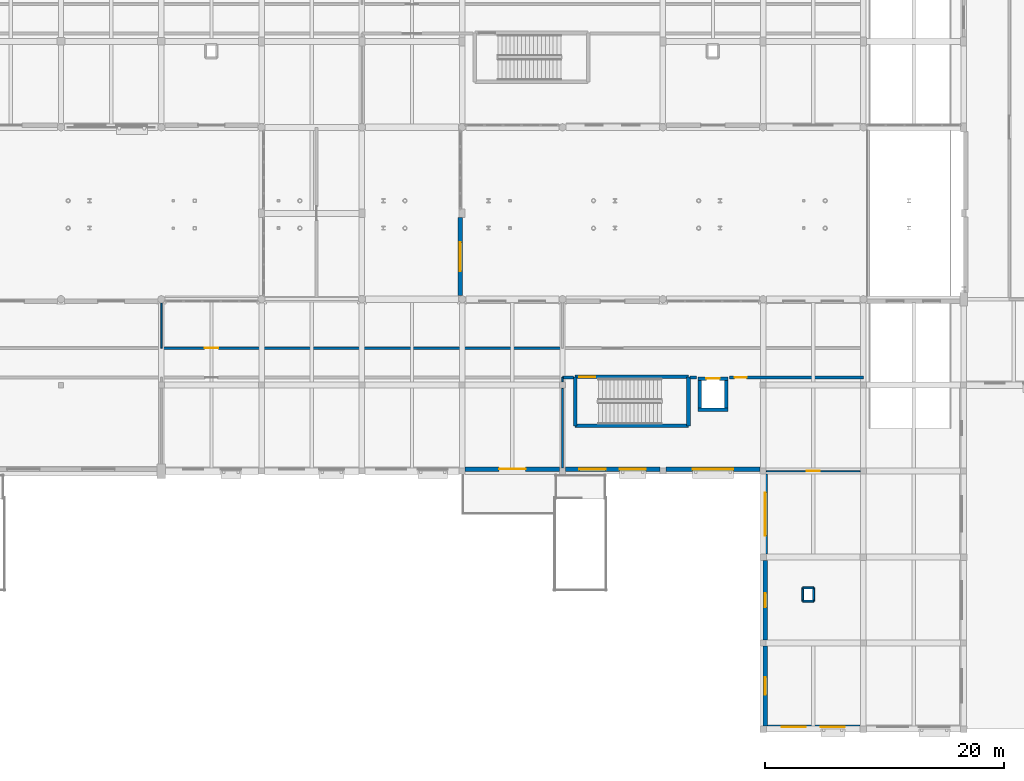
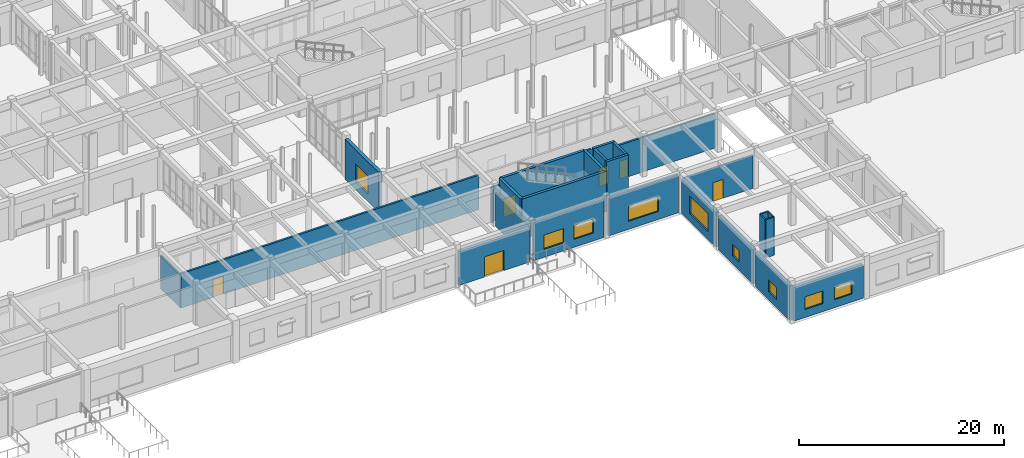
# One storey, part 75 of 121: 28 walls, 9 windows, 6 doors, 15 openings.
"""IFC4 building model written with IfcOpenShell, lengths in metres."""

from ifc_helpers import new_model, si_unit, direction, frame, frame_2d, origin, place, context, subcontext, project, spatial, rectangle, extrude, material, layer, layer_set, type_object, element, fill, save


model = new_model("IFC4")

# Units and contexts
model_context = context("Model", 3, precision=1e-05, world=origin(), true_north=direction((0.0, 1.0)))
body_context = subcontext(model_context, "Body", "Model", "MODEL_VIEW")
ifc_project = project(units=[si_unit("LENGTHUNIT", "METRE"), si_unit("AREAUNIT", "SQUARE_METRE"), si_unit("VOLUMEUNIT", "CUBIC_METRE"), si_unit("PLANEANGLEUNIT", "RADIAN"), si_unit("MASSUNIT", "GRAM", prefix="KILO")], contexts=[model_context])

# Site, building, storey
site_placement = place(None, origin())
site = spatial("IfcSite", under=ifc_project, at=site_placement, CompositionType="ELEMENT")
building_placement = place(site_placement, origin())
building = spatial("IfcBuilding", under=site, at=building_placement, Name="Malvenik Polytechnic", CompositionType="ELEMENT")
storey_placement = place(building_placement, origin())
storey = spatial("IfcBuildingStorey", under=building, at=storey_placement, Name="L00", CompositionType="ELEMENT", Elevation=0.0)

# Wall
ifc_material_1 = material(Name="Concrete C35/45", Category="concrete")
ifc_layer_1 = layer(ifc_material_1, 0.280029296875)
ifc_layer_set_1 = layer_set([ifc_layer_1], Name="Concrete C35/45")
wall_type_1 = type_object("IfcWallType", Name="ARC-CW-S280", PredefinedType="SHEAR", material=ifc_layer_set_1)
wall_1_placement = place(storey_placement, frame((114.639892578125, 26.75, 0.0), z_axis=(0.0, 0.0, 1.0), x_axis=(-1.0, 0.0, 0.0)))
element("IfcWall", 1, at=wall_1_placement, inside=storey, type_object=wall_type_1, Name="Lift Shaft Shear Wall LP-04 L00 -Y", PredefinedType="SHEAR", context=body_context, shape_type="SweptSolid", body=[
    extrude(rectangle(XDim=2.47998046875, YDim=0.280029296875, at=frame_2d((1.239990234375, 0.0))), origin(), (0.0, 0.0, 1.0), 4.820068359375),
])

# Wall, opening, door
wall_2_placement = place(storey_placement, frame((112.159912109375, 29.35009765625, 0.0), z_axis=(0.0, 0.0, 1.0), x_axis=(1.0, 0.0, 0.0)))
wall_2 = element("IfcWall", 2, at=wall_2_placement, inside=storey, type_object=wall_type_1, Name="Lift Shaft Shear Wall LP-04 L00 +Y", PredefinedType="SHEAR", context=body_context, shape_type="SweptSolid", body=[
    extrude(rectangle(XDim=2.47998046875, YDim=0.280029296875, at=frame_2d((1.239990234375, 0.0))), origin(), (0.0, 0.0, 1.0), 4.820068359375),
])
opening_1_placement = place(wall_2_placement, frame((0.68994140625, 0.0, 0.0)))
opening_1 = element("IfcOpeningElement", 3, at=opening_1_placement, cuts=wall_2, Name="Opening LD-01", PredefinedType="OPENING", context=body_context, shape_type="SweptSolid", body=[
    extrude(rectangle(XDim=1.10009765625, YDim=2.14990234375, at=frame_2d((0.550048828125, 1.074951171875))), frame((0.0, 0.14990234375, 0.0), z_axis=(0.0, -1.0, 0.0), x_axis=(1.0, 0.0, 0.0)), (0.0, 0.0, 1.0), 0.300048828125),
])
ifc_material_2 = material(Name="Stainless steel fire-rated sliding lift landing door", Category="steel")
door_type_1 = type_object("IfcDoorType", Name="ARC-LDR-LD-01", OperationType="NOTDEFINED", PredefinedType="DOOR", material=ifc_material_2)
door_1_placement = place(opening_1_placement, origin())
door_1 = element("IfcDoor", 4, at=door_1_placement, inside=storey, type_object=door_type_1, Name="Lift Sliding Landing Door LP-04 L00", OperationType="DOUBLE_DOOR_SLIDING", OverallHeight=2.14990234375, OverallWidth=1.10009765625, PredefinedType="DOOR", context=body_context, shape_type="SweptSolid", body=[
    extrude(rectangle(XDim=1.10009765625, YDim=2.14990234375, at=frame_2d((0.550048828125, 1.074951171875))), frame((0.0, 0.02490234375, 0.0), z_axis=(0.0, -1.0, 0.0), x_axis=(1.0, 0.0, 0.0)), (0.0, 0.0, 1.0), 0.050048828125),
])
fill(opening_1, door_1)

# Walls
for number, where, z_axis, x_axis, name in (
    (5, (112.300048828125, 26.610107421875, 0.0), (0.0, 0.0, 1.0), (0.0, 1.0, 0.0), "Lift Shaft Shear Wall LP-04 L00 -X"),
    (6, (114.5, 29.489990234375, 0.0), (0.0, 0.0, 1.0), (0.0, -1.0, 0.0), "Lift Shaft Shear Wall LP-04 L00 +X"),
):
    element("IfcWall", number, at=place(storey_placement, frame(where, z_axis=z_axis, x_axis=x_axis)), inside=storey, type_object=wall_type_1, Name=name, PredefinedType="SHEAR", context=body_context, shape_type="SweptSolid", body=[
        extrude(rectangle(XDim=2.8798828125, YDim=0.280029296875, at=frame_2d((1.43994140625, 0.0))), origin(), (0.0, 0.0, 1.0), 4.820068359375),
    ])
ifc_layer_2 = layer(ifc_material_1, 0.300048828125)
ifc_layer_set_2 = layer_set([ifc_layer_2], Name="Concrete C35/45")
wall_type_2 = type_object("IfcWallType", Name="ARC-CW-S300", PredefinedType="SHEAR", material=ifc_layer_set_2)
wall_3_placement = place(storey_placement, frame((101.85009765625, 25.39990234375, 0.0), z_axis=(0.0, 0.0, 1.0), x_axis=(0.0, 1.0, 0.0)))
element("IfcWall", 7, at=wall_3_placement, inside=storey, type_object=wall_type_2, Name="Stair Core Shear Wall ST-08 L00 NEAR", PredefinedType="SHEAR", context=body_context, shape_type="SweptSolid", body=[
    extrude(rectangle(XDim=4.10009765625, YDim=0.300048828125, at=frame_2d((2.050048828125, 0.0))), origin(), (0.0, 0.0, 1.0), 4.820068359375),
])

# Wall, opening, door
wall_4_placement = place(storey_placement, frame((101.85009765625, 29.5, 0.0), z_axis=(0.0, 0.0, 1.0), x_axis=(1.0, 0.0, 0.0)))
wall_4 = element("IfcWall", 8, at=wall_4_placement, inside=storey, type_object=wall_type_2, Name="Stair Core Shear Wall ST-08 L00 RGHT", PredefinedType="SHEAR", context=body_context, shape_type="SweptSolid", body=[
    extrude(rectangle(XDim=9.5, YDim=0.300048828125, at=frame_2d((4.75, 0.0))), origin(), (0.0, 0.0, 1.0), 4.820068359375),
])
opening_2_placement = place(wall_4_placement, frame((0.35009765625, 0.0, 0.0)))
opening_2 = element("IfcOpeningElement", 9, at=opening_2_placement, cuts=wall_4, Name="Opening SD-01", PredefinedType="OPENING", context=body_context, shape_type="SweptSolid", body=[
    extrude(rectangle(XDim=1.35009765625, YDim=2.199951171875, at=frame_2d((0.675048828125, 1.10009765625))), frame((0.0, 0.16015625, 0.0), z_axis=(0.0, -1.0, 0.0), x_axis=(1.0, 0.0, 0.0)), (0.0, 0.0, 1.0), 0.320068359375),
])
ifc_material_3 = material(Name="Fire-rated steel stair enclosure door", Category="steel")
door_type_2 = type_object("IfcDoorType", Name="ARC-IDR-SD-01", OperationType="NOTDEFINED", PredefinedType="DOOR", material=ifc_material_3)
door_2_placement = place(opening_2_placement, origin())
door_2 = element("IfcDoor", 10, at=door_2_placement, inside=storey, type_object=door_type_2, Name="Fire Stair Door ST-08 L00", OperationType="SINGLE_SWING_LEFT", OverallHeight=2.199951171875, OverallWidth=1.35009765625, PredefinedType="DOOR", context=body_context, shape_type="SweptSolid", body=[
    extrude(rectangle(XDim=1.35009765625, YDim=2.199951171875, at=frame_2d((0.675048828125, 1.10009765625))), frame((0.0, 0.02490234375, 0.0), z_axis=(0.0, -1.0, 0.0), x_axis=(1.0, 0.0, 0.0)), (0.0, 0.0, 1.0), 0.050048828125),
])
fill(opening_2, door_2)

# Walls
wall_5_placement = place(storey_placement, frame((111.35009765625, 29.5, 0.0), z_axis=(0.0, 0.0, 1.0), x_axis=(0.0, -1.0, 0.0)))
element("IfcWall", 11, at=wall_5_placement, inside=storey, type_object=wall_type_2, Name="Stair Core Shear Wall ST-08 L00 FAR", PredefinedType="SHEAR", context=body_context, shape_type="SweptSolid", body=[
    extrude(rectangle(XDim=4.10009765625, YDim=0.300048828125, at=frame_2d((2.050048828125, 0.0))), origin(), (0.0, 0.0, 1.0), 4.820068359375),
])
wall_6_placement = place(storey_placement, frame((111.35009765625, 25.39990234375, 0.0), z_axis=(0.0, 0.0, 1.0), x_axis=(-1.0, 0.0, 0.0)))
element("IfcWall", 12, at=wall_6_placement, inside=storey, type_object=wall_type_2, Name="Stair Core Shear Wall ST-08 L00 LEFT", PredefinedType="SHEAR", context=body_context, shape_type="SweptSolid", body=[
    extrude(rectangle(XDim=9.5, YDim=0.300048828125, at=frame_2d((4.75, 0.0))), origin(), (0.0, 0.0, 1.0), 4.820068359375),
])

# Wall, openings, windows
ifc_material_4 = material(Name="Concrete C30/37", Category="concrete")
ifc_layer_3 = layer(ifc_material_4, 0.3798828125)
ifc_layer_set_3 = layer_set([ifc_layer_3], Name="Concrete C30/37")
wall_type_3 = type_object("IfcWallType", Name="ARC-EW-380", PredefinedType="SOLIDWALL", material=ifc_layer_set_3)
wall_7_placement = place(storey_placement, frame((125.72705078125, 0.169921875, 0.0), z_axis=(0.0, 0.0, 1.0), x_axis=(-1.0, 0.0, 0.0)))
wall_7 = element("IfcWall", 13, at=wall_7_placement, inside=storey, type_object=wall_type_3, Name="External Facade Wall EW-01 L00 #141", PredefinedType="SOLIDWALL", context=body_context, shape_type="SweptSolid", body=[
    extrude(rectangle(XDim=7.85400390625, YDim=0.3798828125, at=frame_2d((3.927001953125, 0.0))), origin(), (0.0, 0.0, 1.0), 4.010009765625),
])
opening_3_placement = place(wall_7_placement, frame((1.28466796875, 0.0, 0.949951171875)))
opening_3 = element("IfcOpeningElement", 14, at=opening_3_placement, cuts=wall_7, Name="Opening W-13", PredefinedType="OPENING", context=body_context, shape_type="SweptSolid", body=[
    extrude(rectangle(XDim=2.0, YDim=1.5, at=frame_2d((1.0, 0.75))), frame((0.0, 0.199951171875, 0.0), z_axis=(0.0, -1.0, 0.0), x_axis=(1.0, 0.0, 0.0)), (0.0, 0.0, 1.0), 0.39990234375),
])
opening_4_placement = place(wall_7_placement, frame((4.5693359375, 0.0, 0.949951171875)))
opening_4 = element("IfcOpeningElement", 15, at=opening_4_placement, cuts=wall_7, Name="Opening W-13", PredefinedType="OPENING", context=body_context, shape_type="SweptSolid", body=[
    extrude(rectangle(XDim=2.0, YDim=1.5, at=frame_2d((1.0, 0.75))), frame((0.0, 0.199951171875, 0.0), z_axis=(0.0, -1.0, 0.0), x_axis=(1.0, 0.0, 0.0)), (0.0, 0.0, 1.0), 0.39990234375),
])
ifc_material_5 = material(Name="Thermally broken aluminium frame with low-E double glazing", Category="aluminium")
window_type_1 = type_object("IfcWindowType", Name="ARC-WIN-W-13", PartitioningType="SINGLE_PANEL", PredefinedType="WINDOW", material=ifc_material_5)
window_1_placement = place(opening_3_placement, origin())
window_1 = element("IfcWindow", 16, at=window_1_placement, inside=storey, type_object=window_type_1, Name="Punched Window W-13 L00 #103", OverallHeight=1.5, OverallWidth=2.0, PartitioningType="SINGLE_PANEL", PredefinedType="WINDOW", context=body_context, shape_type="SweptSolid", body=[
    extrude(rectangle(XDim=2.0, YDim=1.5, at=frame_2d((1.0, 0.75))), frame((0.0, 0.030029296875, 0.0), z_axis=(0.0, -1.0, 0.0), x_axis=(1.0, 0.0, 0.0)), (0.0, 0.0, 1.0), 0.06005859375),
])
fill(opening_3, window_1)
window_2_placement = place(opening_4_placement, origin())
window_2 = element("IfcWindow", 17, at=window_2_placement, inside=storey, type_object=window_type_1, Name="Punched Window W-13 L00 #104", OverallHeight=1.5, OverallWidth=2.0, PartitioningType="SINGLE_PANEL", PredefinedType="WINDOW", context=body_context, shape_type="SweptSolid", body=[
    extrude(rectangle(XDim=2.0, YDim=1.5, at=frame_2d((1.0, 0.75))), frame((0.0, 0.030029296875, 0.0), z_axis=(0.0, -1.0, 0.0), x_axis=(1.0, 0.0, 0.0)), (0.0, 0.0, 1.0), 0.06005859375),
])
fill(opening_4, window_2)

# Wall, opening, window
wall_8_placement = place(storey_placement, frame((117.77001953125, 0.27294921875, 0.0), z_axis=(0.0, 0.0, 1.0), x_axis=(0.0, 1.0, 0.0)))
wall_8 = element("IfcWall", 18, at=wall_8_placement, inside=storey, type_object=wall_type_3, Name="External Facade Wall EW-01 L00 #142", PredefinedType="SOLIDWALL", context=body_context, shape_type="SweptSolid", body=[
    extrude(rectangle(XDim=6.678955078125, YDim=0.3798828125, at=frame_2d((3.33935546875, 0.0))), origin(), (0.0, 0.0, 1.0), 4.110107421875),
])
opening_5_placement = place(wall_8_placement, frame((2.589599609375, 0.0, 0.949951171875)))
opening_5 = element("IfcOpeningElement", 19, at=opening_5_placement, cuts=wall_8, Name="Opening W-15", PredefinedType="OPENING", context=body_context, shape_type="SweptSolid", body=[
    extrude(rectangle(XDim=1.5, YDim=1.39990234375, at=frame_2d((0.75, 0.699951171875))), frame((0.0, 0.199951171875, 0.0), z_axis=(0.0, -1.0, 0.0), x_axis=(1.0, 0.0, 0.0)), (0.0, 0.0, 1.0), 0.39990234375),
])
window_type_2 = type_object("IfcWindowType", Name="ARC-WIN-W-15", PartitioningType="SINGLE_PANEL", PredefinedType="WINDOW", material=ifc_material_5)
window_3_placement = place(opening_5_placement, origin())
window_3 = element("IfcWindow", 20, at=window_3_placement, inside=storey, type_object=window_type_2, Name="Punched Window W-15 L00 #105", OverallHeight=1.39990234375, OverallWidth=1.5, PartitioningType="SINGLE_PANEL", PredefinedType="WINDOW", context=body_context, shape_type="SweptSolid", body=[
    extrude(rectangle(XDim=1.5, YDim=1.39990234375, at=frame_2d((0.75, 0.699951171875))), frame((0.0, 0.030029296875, 0.0), z_axis=(0.0, -1.0, 0.0), x_axis=(1.0, 0.0, 0.0)), (0.0, 0.0, 1.0), 0.06005859375),
])
fill(opening_5, window_3)

wall_9_placement = place(storey_placement, frame((117.77001953125, 7.447998046875, 0.0), z_axis=(0.0, 0.0, 1.0), x_axis=(0.0, 1.0, 0.0)))
wall_9 = element("IfcWall", 21, at=wall_9_placement, inside=storey, type_object=wall_type_3, Name="External Facade Wall EW-01 L00 #143", PredefinedType="SOLIDWALL", context=body_context, shape_type="SweptSolid", body=[
    extrude(rectangle(XDim=6.678955078125, YDim=0.3798828125, at=frame_2d((3.33935546875, 0.0))), origin(), (0.0, 0.0, 1.0), 4.110107421875),
])
opening_6_placement = place(wall_9_placement, frame((2.739501953125, 0.0, 0.949951171875)))
opening_6 = element("IfcOpeningElement", 22, at=opening_6_placement, cuts=wall_9, Name="Opening W-16", PredefinedType="OPENING", context=body_context, shape_type="SweptSolid", body=[
    extrude(rectangle(XDim=1.199951171875, YDim=1.39990234375, at=frame_2d((0.60009765625, 0.699951171875))), frame((0.0, 0.199951171875, 0.0), z_axis=(0.0, -1.0, 0.0), x_axis=(1.0, 0.0, 0.0)), (0.0, 0.0, 1.0), 0.39990234375),
])
window_type_3 = type_object("IfcWindowType", Name="ARC-WIN-W-16", PartitioningType="SINGLE_PANEL", PredefinedType="WINDOW", material=ifc_material_5)
window_4_placement = place(opening_6_placement, origin())
window_4 = element("IfcWindow", 23, at=window_4_placement, inside=storey, type_object=window_type_3, Name="Punched Window W-16 L00 #106", OverallHeight=1.39990234375, OverallWidth=1.199951171875, PartitioningType="SINGLE_PANEL", PredefinedType="WINDOW", context=body_context, shape_type="SweptSolid", body=[
    extrude(rectangle(XDim=1.199951171875, YDim=1.39990234375, at=frame_2d((0.60009765625, 0.699951171875))), frame((0.0, 0.030029296875, 0.0), z_axis=(0.0, -1.0, 0.0), x_axis=(1.0, 0.0, 0.0)), (0.0, 0.0, 1.0), 0.06005859375),
])
fill(opening_6, window_4)

wall_10_placement = place(storey_placement, frame((117.77001953125, 14.673095703125, 0.0), z_axis=(0.0, 0.0, 1.0), x_axis=(0.0, 1.0, 0.0)))
wall_10 = element("IfcWall", 24, at=wall_10_placement, inside=storey, type_object=wall_type_3, Name="External Facade Wall EW-01 L00 #144", PredefinedType="SOLIDWALL", context=body_context, shape_type="SweptSolid", body=[
    extrude(rectangle(XDim=6.678955078125, YDim=0.3798828125, at=frame_2d((3.33935546875, 0.0))), origin(), (0.0, 0.0, 1.0), 4.110107421875),
])
opening_7_placement = place(wall_10_placement, frame((1.53955078125, 0.0, 0.949951171875)))
opening_7 = element("IfcOpeningElement", 25, at=opening_7_placement, cuts=wall_10, Name="Opening W-17", PredefinedType="OPENING", context=body_context, shape_type="SweptSolid", body=[
    extrude(rectangle(XDim=3.60009765625, YDim=2.10009765625, at=frame_2d((1.800048828125, 1.050048828125))), frame((0.0, 0.199951171875, 0.0), z_axis=(0.0, -1.0, 0.0), x_axis=(1.0, 0.0, 0.0)), (0.0, 0.0, 1.0), 0.39990234375),
])
window_type_4 = type_object("IfcWindowType", Name="ARC-WIN-W-17", PartitioningType="SINGLE_PANEL", PredefinedType="WINDOW", material=ifc_material_5)
window_5_placement = place(opening_7_placement, origin())
window_5 = element("IfcWindow", 26, at=window_5_placement, inside=storey, type_object=window_type_4, Name="Punched Window W-17 L00 #107", OverallHeight=2.10009765625, OverallWidth=3.60009765625, PartitioningType="SINGLE_PANEL", PredefinedType="WINDOW", context=body_context, shape_type="SweptSolid", body=[
    extrude(rectangle(XDim=3.60009765625, YDim=2.10009765625, at=frame_2d((1.800048828125, 1.050048828125))), frame((0.0, 0.030029296875, 0.0), z_axis=(0.0, -1.0, 0.0), x_axis=(1.0, 0.0, 0.0)), (0.0, 0.0, 1.0), 0.06005859375),
])
fill(opening_7, window_5)

wall_11_placement = place(storey_placement, frame((117.35205078125, 21.77001953125, 0.0), z_axis=(0.0, 0.0, 1.0), x_axis=(-1.0, 0.0, 0.0)))
wall_11 = element("IfcWall", 27, at=wall_11_placement, inside=storey, type_object=wall_type_3, Name="External Facade Wall EW-01 L00 #145", PredefinedType="SOLIDWALL", context=body_context, shape_type="SweptSolid", body=[
    extrude(rectangle(XDim=7.904052734375, YDim=0.3798828125, at=frame_2d((3.9521484375, 0.0))), origin(), (0.0, 0.0, 1.0), 4.498046875),
])
opening_8_placement = place(wall_11_placement, frame((2.251953125, 0.0, 0.949951171875)))
opening_8 = element("IfcOpeningElement", 28, at=opening_8_placement, cuts=wall_11, Name="Opening W-18", PredefinedType="OPENING", context=body_context, shape_type="SweptSolid", body=[
    extrude(rectangle(XDim=3.39990234375, YDim=1.800048828125, at=frame_2d((1.699951171875, 0.89990234375))), frame((0.0, 0.199951171875, 0.0), z_axis=(0.0, -1.0, 0.0), x_axis=(1.0, 0.0, 0.0)), (0.0, 0.0, 1.0), 0.39990234375),
])
window_type_5 = type_object("IfcWindowType", Name="ARC-WIN-W-18", PartitioningType="SINGLE_PANEL", PredefinedType="WINDOW", material=ifc_material_5)
window_6_placement = place(opening_8_placement, origin())
window_6 = element("IfcWindow", 29, at=window_6_placement, inside=storey, type_object=window_type_5, Name="Punched Window W-18 L00 #108", OverallHeight=1.800048828125, OverallWidth=3.39990234375, PartitioningType="SINGLE_PANEL", PredefinedType="WINDOW", context=body_context, shape_type="SweptSolid", body=[
    extrude(rectangle(XDim=3.39990234375, YDim=1.800048828125, at=frame_2d((1.699951171875, 0.89990234375))), frame((0.0, 0.030029296875, 0.0), z_axis=(0.0, -1.0, 0.0), x_axis=(1.0, 0.0, 0.0)), (0.0, 0.0, 1.0), 0.06005859375),
])
fill(opening_8, window_6)

# Wall, openings, windows
wall_12_placement = place(storey_placement, frame((108.951904296875, 21.77001953125, 0.0), z_axis=(0.0, 0.0, 1.0), x_axis=(-1.0, 0.0, 0.0)))
wall_12 = element("IfcWall", 30, at=wall_12_placement, inside=storey, type_object=wall_type_3, Name="External Facade Wall EW-01 L00 #146", PredefinedType="SOLIDWALL", context=body_context, shape_type="SweptSolid", body=[
    extrude(rectangle(XDim=7.90380859375, YDim=0.3798828125, at=frame_2d((3.951904296875, 0.0))), origin(), (0.0, 0.0, 1.0), 4.498046875),
])
opening_9_placement = place(wall_12_placement, frame((1.16796875, 0.0, 0.949951171875)))
opening_9 = element("IfcOpeningElement", 31, at=opening_9_placement, cuts=wall_12, Name="Opening W-19", PredefinedType="OPENING", context=body_context, shape_type="SweptSolid", body=[
    extrude(rectangle(XDim=2.199951171875, YDim=1.699951171875, at=frame_2d((1.10009765625, 0.85009765625))), frame((0.0, 0.199951171875, 0.0), z_axis=(0.0, -1.0, 0.0), x_axis=(1.0, 0.0, 0.0)), (0.0, 0.0, 1.0), 0.39990234375),
])
opening_10_placement = place(wall_12_placement, frame((4.535888671875, 0.0, 0.949951171875)))
opening_10 = element("IfcOpeningElement", 32, at=opening_10_placement, cuts=wall_12, Name="Opening W-19", PredefinedType="OPENING", context=body_context, shape_type="SweptSolid", body=[
    extrude(rectangle(XDim=2.199951171875, YDim=1.699951171875, at=frame_2d((1.10009765625, 0.85009765625))), frame((0.0, 0.199951171875, 0.0), z_axis=(0.0, -1.0, 0.0), x_axis=(1.0, 0.0, 0.0)), (0.0, 0.0, 1.0), 0.39990234375),
])
window_type_6 = type_object("IfcWindowType", Name="ARC-WIN-W-19", PartitioningType="SINGLE_PANEL", PredefinedType="WINDOW", material=ifc_material_5)
window_7_placement = place(opening_9_placement, origin())
window_7 = element("IfcWindow", 33, at=window_7_placement, inside=storey, type_object=window_type_6, Name="Punched Window W-19 L00 #109", OverallHeight=1.699951171875, OverallWidth=2.199951171875, PartitioningType="SINGLE_PANEL", PredefinedType="WINDOW", context=body_context, shape_type="SweptSolid", body=[
    extrude(rectangle(XDim=2.199951171875, YDim=1.699951171875, at=frame_2d((1.10009765625, 0.85009765625))), frame((0.0, 0.030029296875, 0.0), z_axis=(0.0, -1.0, 0.0), x_axis=(1.0, 0.0, 0.0)), (0.0, 0.0, 1.0), 0.06005859375),
])
fill(opening_9, window_7)
window_8_placement = place(opening_10_placement, origin())
window_8 = element("IfcWindow", 34, at=window_8_placement, inside=storey, type_object=window_type_6, Name="Punched Window W-19 L00 #110", OverallHeight=1.699951171875, OverallWidth=2.199951171875, PartitioningType="SINGLE_PANEL", PredefinedType="WINDOW", context=body_context, shape_type="SweptSolid", body=[
    extrude(rectangle(XDim=2.199951171875, YDim=1.699951171875, at=frame_2d((1.10009765625, 0.85009765625))), frame((0.0, 0.030029296875, 0.0), z_axis=(0.0, -1.0, 0.0), x_axis=(1.0, 0.0, 0.0)), (0.0, 0.0, 1.0), 0.06005859375),
])
fill(opening_10, window_8)

# Wall, opening, door
wall_13_placement = place(storey_placement, frame((100.552001953125, 21.77001953125, 0.0), z_axis=(0.0, 0.0, 1.0), x_axis=(-1.0, 0.0, 0.0)))
wall_13 = element("IfcWall", 35, at=wall_13_placement, inside=storey, type_object=wall_type_3, Name="External Facade Wall EW-01 L00 #147", PredefinedType="SOLIDWALL", context=body_context, shape_type="SweptSolid", body=[
    extrude(rectangle(XDim=7.904052734375, YDim=0.3798828125, at=frame_2d((3.9521484375, 0.0))), origin(), (0.0, 0.0, 1.0), 4.010009765625),
])
opening_11_placement = place(wall_13_placement, frame((2.85205078125, 0.0, 0.0)))
opening_11 = element("IfcOpeningElement", 36, at=opening_11_placement, cuts=wall_13, Name="Opening ED-02", PredefinedType="OPENING", context=body_context, shape_type="SweptSolid", body=[
    extrude(rectangle(XDim=2.199951171875, YDim=2.39990234375, at=frame_2d((1.10009765625, 1.199951171875))), frame((0.0, 0.199951171875, 0.0), z_axis=(0.0, -1.0, 0.0), x_axis=(1.0, 0.0, 0.0)), (0.0, 0.0, 1.0), 0.39990234375),
])
ifc_material_6 = material(Name="Thermally broken glazed aluminium entrance door", Category="aluminium")
door_type_3 = type_object("IfcDoorType", Name="ARC-EDR-ED-02", OperationType="NOTDEFINED", PredefinedType="DOOR", material=ifc_material_6)
door_3_placement = place(opening_11_placement, origin())
door_3 = element("IfcDoor", 37, at=door_3_placement, inside=storey, type_object=door_type_3, Name="External Door ED-02 L00 #33", OperationType="DOUBLE_DOOR_SINGLE_SWING", OverallHeight=2.39990234375, OverallWidth=2.199951171875, PredefinedType="DOOR", context=body_context, shape_type="SweptSolid", body=[
    extrude(rectangle(XDim=2.199951171875, YDim=2.39990234375, at=frame_2d((1.10009765625, 1.199951171875))), frame((0.0, 0.02490234375, 0.0), z_axis=(0.0, -1.0, 0.0), x_axis=(1.0, 0.0, 0.0)), (0.0, 0.0, 1.0), 0.050048828125),
])
fill(opening_11, door_3)

# Wall, opening, window
wall_14_placement = place(storey_placement, frame((92.22998046875, 42.826904296875, 0.0), z_axis=(0.0, 0.0, 1.0), x_axis=(0.0, -1.0, 0.0)))
wall_14 = element("IfcWall", 38, at=wall_14_placement, inside=storey, type_object=wall_type_3, Name="External Facade Wall EW-01 L00 #162", PredefinedType="SOLIDWALL", context=body_context, shape_type="SweptSolid", body=[
    extrude(rectangle(XDim=6.52880859375, YDim=0.3798828125, at=frame_2d((3.264404296875, 0.0))), origin(), (0.0, 0.0, 1.0), 4.760009765625),
])
opening_12_placement = place(wall_14_placement, frame((2.064453125, 0.0, 0.949951171875)))
opening_12 = element("IfcOpeningElement", 39, at=opening_12_placement, cuts=wall_14, Name="Opening W-01", PredefinedType="OPENING", context=body_context, shape_type="SweptSolid", body=[
    extrude(rectangle(XDim=2.39990234375, YDim=2.10009765625, at=frame_2d((1.199951171875, 1.050048828125))), frame((0.0, 0.199951171875, 0.0), z_axis=(0.0, -1.0, 0.0), x_axis=(1.0, 0.0, 0.0)), (0.0, 0.0, 1.0), 0.39990234375),
])
window_type_7 = type_object("IfcWindowType", Name="ARC-WIN-W-01", PartitioningType="SINGLE_PANEL", PredefinedType="WINDOW", material=ifc_material_5)
window_9_placement = place(opening_12_placement, origin())
window_9 = element("IfcWindow", 40, at=window_9_placement, inside=storey, type_object=window_type_7, Name="Punched Window W-01 L00 #123", OverallHeight=2.10009765625, OverallWidth=2.39990234375, PartitioningType="SINGLE_PANEL", PredefinedType="WINDOW", context=body_context, shape_type="SweptSolid", body=[
    extrude(rectangle(XDim=2.39990234375, YDim=2.10009765625, at=frame_2d((1.199951171875, 1.050048828125))), frame((0.0, 0.030029296875, 0.0), z_axis=(0.0, -1.0, 0.0), x_axis=(1.0, 0.0, 0.0)), (0.0, 0.0, 1.0), 0.06005859375),
])
fill(opening_12, window_9)

# Wall, opening, door
ifc_material_7 = material(Name="Autoclaved aerated concrete blockwork 220mm", Category="masonry")
ifc_layer_4 = layer(ifc_material_7, 0.219970703125)
ifc_layer_set_4 = layer_set([ifc_layer_4], Name="Autoclaved aerated concrete blockwork 220mm")
wall_type_4 = type_object("IfcWallType", Name="ARC-FW-220", PredefinedType="SOLIDWALL", material=ifc_layer_set_4)
wall_15_placement = place(storey_placement, frame((67.199951171875, 31.89990234375, 0.0), z_axis=(0.0, 0.0, 1.0), x_axis=(1.0, 0.0, 0.0)))
wall_15 = element("IfcWall", 41, at=wall_15_placement, inside=storey, type_object=wall_type_4, Name="Interior Partition FW-01 L00 #104", PredefinedType="SOLIDWALL", context=body_context, shape_type="SweptSolid", body=[
    extrude(rectangle(XDim=33.60009765625, YDim=0.219970703125, at=frame_2d((16.800048828125, 0.0))), origin(), (0.0, 0.0, 1.0), 4.10498046875),
])
opening_13_placement = place(wall_15_placement, frame((3.625, 0.0, 0.0)))
opening_13 = element("IfcOpeningElement", 42, at=opening_13_placement, cuts=wall_15, Name="Opening FD-01", PredefinedType="OPENING", context=body_context, shape_type="SweptSolid", body=[
    extrude(rectangle(XDim=1.14990234375, YDim=2.14990234375, at=frame_2d((0.574951171875, 1.074951171875))), frame((0.0, 0.1201171875, 0.0), z_axis=(0.0, -1.0, 0.0), x_axis=(1.0, 0.0, 0.0)), (0.0, 0.0, 1.0), 0.239990234375),
])
ifc_material_8 = material(Name="Fire-rated timber acoustic corridor door", Category="wood")
door_type_4 = type_object("IfcDoorType", Name="ARC-IDR-FD-01", OperationType="NOTDEFINED", PredefinedType="DOOR", material=ifc_material_8)
door_4_placement = place(opening_13_placement, origin())
door_4 = element("IfcDoor", 43, at=door_4_placement, inside=storey, type_object=door_type_4, Name="Interior Door FD-01 L00 #48", OperationType="SINGLE_SWING_LEFT", OverallHeight=2.14990234375, OverallWidth=1.14990234375, PredefinedType="DOOR", context=body_context, shape_type="SweptSolid", body=[
    extrude(rectangle(XDim=1.14990234375, YDim=2.14990234375, at=frame_2d((0.574951171875, 1.074951171875))), frame((0.0, 0.02490234375, 0.0), z_axis=(0.0, -1.0, 0.0), x_axis=(1.0, 0.0, 0.0)), (0.0, 0.0, 1.0), 0.050048828125),
])
fill(opening_13, door_4)

wall_16_placement = place(storey_placement, frame((126.0, 29.449951171875, 0.0), z_axis=(0.0, 0.0, 1.0), x_axis=(-1.0, 0.0, 0.0)))
wall_16 = element("IfcWall", 44, at=wall_16_placement, inside=storey, type_object=wall_type_4, Name="Interior Partition FW-01 L00 #113", PredefinedType="SOLIDWALL", context=body_context, shape_type="SweptSolid", body=[
    extrude(rectangle(XDim=11.22998046875, YDim=0.219970703125, at=frame_2d((5.614990234375, 0.0))), origin(), (0.0, 0.0, 1.0), 4.10498046875),
])
opening_14_placement = place(wall_16_placement, frame((9.780029296875, 0.0, 0.0)))
opening_14 = element("IfcOpeningElement", 45, at=opening_14_placement, cuts=wall_16, Name="Opening FD-07", PredefinedType="OPENING", context=body_context, shape_type="SweptSolid", body=[
    extrude(rectangle(XDim=1.0, YDim=2.10009765625, at=frame_2d((0.5, 1.050048828125))), frame((0.0, 0.1201171875, 0.0), z_axis=(0.0, -1.0, 0.0), x_axis=(1.0, 0.0, 0.0)), (0.0, 0.0, 1.0), 0.239990234375),
])
ifc_material_9 = material(Name="Fire-rated washroom corridor door", Category="steel")
door_type_5 = type_object("IfcDoorType", Name="ARC-IDR-FD-07", OperationType="NOTDEFINED", PredefinedType="DOOR", material=ifc_material_9)
door_5_placement = place(opening_14_placement, origin())
door_5 = element("IfcDoor", 46, at=door_5_placement, inside=storey, type_object=door_type_5, Name="Interior Door FD-07 L00 #52", OperationType="SINGLE_SWING_RIGHT", OverallHeight=2.10009765625, OverallWidth=1.0, PredefinedType="DOOR", context=body_context, shape_type="SweptSolid", body=[
    extrude(rectangle(XDim=1.0, YDim=2.10009765625, at=frame_2d((0.5, 1.050048828125))), frame((0.0, 0.02490234375, 0.0), z_axis=(0.0, -1.0, 0.0), x_axis=(1.0, 0.0, 0.0)), (0.0, 0.0, 1.0), 0.050048828125),
])
fill(opening_14, door_5)

# Walls
wall_17_placement = place(storey_placement, frame((112.030029296875, 29.449951171875, 0.0), z_axis=(0.0, 0.0, 1.0), x_axis=(-1.0, 0.0, 0.0)))
element("IfcWall", 47, at=wall_17_placement, inside=storey, type_object=wall_type_4, Name="Interior Partition FW-01 L00 #114", PredefinedType="SOLIDWALL", context=body_context, shape_type="SweptSolid", body=[
    extrude(rectangle(XDim=0.5400390625, YDim=0.219970703125, at=frame_2d((0.27001953125, 0.0))), origin(), (0.0, 0.0, 1.0), 4.75),
])
wall_18_placement = place(storey_placement, frame((101.7099609375, 29.449951171875, 0.0), z_axis=(0.0, 0.0, 1.0), x_axis=(-1.0, 0.0, 0.0)))
element("IfcWall", 48, at=wall_18_placement, inside=storey, type_object=wall_type_4, Name="Interior Partition FW-01 L00 #115", PredefinedType="SOLIDWALL", context=body_context, shape_type="SweptSolid", body=[
    extrude(rectangle(XDim=0.909912109375, YDim=0.219970703125, at=frame_2d((0.455078125, 0.0))), origin(), (0.0, 0.0, 1.0), 4.10498046875),
])

# Wall, opening, door
ifc_material_10 = material(Name="Lightweight gypsum partition 110mm", Category="gypsum")
ifc_layer_5 = layer(ifc_material_10, 0.110107421875)
ifc_layer_set_5 = layer_set([ifc_layer_5], Name="Lightweight gypsum partition 110mm")
wall_type_5 = type_object("IfcWallType", Name="ARC-PW-110", PredefinedType="PARTITIONING", material=ifc_layer_set_5)
wall_19_placement = place(storey_placement, frame((117.8701171875, 21.60009765625, 0.0), z_axis=(0.0, 0.0, 1.0), x_axis=(1.0, 0.0, 0.0)))
wall_19 = element("IfcWall", 49, at=wall_19_placement, inside=storey, type_object=wall_type_5, Name="Interior Partition PW-04I L00 #116", PredefinedType="PARTITIONING", context=body_context, shape_type="SweptSolid", body=[
    extrude(rectangle(XDim=7.85986328125, YDim=0.110107421875, at=frame_2d((3.929931640625, 0.0))), origin(), (0.0, 0.0, 1.0), 4.0048828125),
])
opening_15_placement = place(wall_19_placement, frame((3.3798828125, 0.0, 0.0)))
opening_15 = element("IfcOpeningElement", 50, at=opening_15_placement, cuts=wall_19, Name="Opening D-11", PredefinedType="OPENING", context=body_context, shape_type="SweptSolid", body=[
    extrude(rectangle(XDim=1.10009765625, YDim=2.25, at=frame_2d((0.550048828125, 1.125))), frame((0.0, 0.06494140625, 0.0), z_axis=(0.0, -1.0, 0.0), x_axis=(1.0, 0.0, 0.0)), (0.0, 0.0, 1.0), 0.130126953125),
])
ifc_material_11 = material(Name="Tall postgraduate room timber door", Category="wood")
door_type_6 = type_object("IfcDoorType", Name="ARC-IDR-D-11", OperationType="NOTDEFINED", PredefinedType="DOOR", material=ifc_material_11)
door_6_placement = place(opening_15_placement, origin())
door_6 = element("IfcDoor", 51, at=door_6_placement, inside=storey, type_object=door_type_6, Name="Interior Door D-11 L00 #53", OperationType="SINGLE_SWING_LEFT", OverallHeight=2.25, OverallWidth=1.10009765625, PredefinedType="DOOR", context=body_context, shape_type="SweptSolid", body=[
    extrude(rectangle(XDim=1.10009765625, YDim=2.25, at=frame_2d((0.550048828125, 1.125))), frame((0.0, 0.02490234375, 0.0), z_axis=(0.0, -1.0, 0.0), x_axis=(1.0, 0.0, 0.0)), (0.0, 0.0, 1.0), 0.050048828125),
])
fill(opening_15, door_6)

# Walls
ifc_material_12 = material(Name="Metal-stud gypsum board partition 125mm", Category="gypsum")
ifc_layer_6 = layer(ifc_material_12, 0.125)
ifc_layer_set_6 = layer_set([ifc_layer_6], Name="Metal-stud gypsum board partition 125mm")
wall_type_6 = type_object("IfcWallType", Name="ARC-PW-125", PredefinedType="PARTITIONING", material=ifc_layer_set_6)
wall_20_placement = place(storey_placement, frame((67.199951171875, 31.89990234375, 0.0), z_axis=(0.0, 0.0, 1.0), x_axis=(0.0, 1.0, 0.0)))
element("IfcWall", 52, at=wall_20_placement, inside=storey, type_object=wall_type_6, Name="Interior Partition PW-03I L00 #103", PredefinedType="PARTITIONING", context=body_context, shape_type="SweptSolid", body=[
    extrude(rectangle(XDim=3.780029296875, YDim=0.125, at=frame_2d((1.89013671875, 0.0))), origin(), (0.0, 0.0, 1.0), 4.0048828125),
])
wall_21_placement = place(storey_placement, frame((100.800048828125, 29.070068359375, 0.0), z_axis=(0.0, 0.0, 1.0), x_axis=(0.0, 1.0, 0.0)))
element("IfcWall", 53, at=wall_21_placement, inside=storey, type_object=wall_type_6, Name="Interior Partition PW-03I L00 #112", PredefinedType="PARTITIONING", context=body_context, shape_type="SweptSolid", body=[
    extrude(rectangle(XDim=0.3798828125, YDim=0.125, at=frame_2d((0.18994140625, 0.0))), origin(), (0.0, 0.0, 1.0), 4.0048828125),
])
ifc_material_13 = material(Name="Acoustic metal-stud gypsum partition 140mm", Category="gypsum")
ifc_layer_7 = layer(ifc_material_13, 0.139892578125)
ifc_layer_set_7 = layer_set([ifc_layer_7], Name="Acoustic metal-stud gypsum partition 140mm")
wall_type_7 = type_object("IfcWallType", Name="ARC-PW-140", PredefinedType="PARTITIONING", material=ifc_layer_set_7)
wall_22_placement = place(storey_placement, frame((100.800048828125, 21.8701171875, 0.0), z_axis=(0.0, 0.0, 1.0), x_axis=(0.0, 1.0, 0.0)))
element("IfcWall", 54, at=wall_22_placement, inside=storey, type_object=wall_type_7, Name="Interior Partition PW-02I L00 #111", PredefinedType="PARTITIONING", context=body_context, shape_type="SweptSolid", body=[
    extrude(rectangle(XDim=6.659912109375, YDim=0.139892578125, at=frame_2d((3.330078125, 0.0))), origin(), (0.0, 0.0, 1.0), 4.0048828125),
])
ifc_material_14 = material(Name="Double-stud acoustic gypsum board partition 160mm", Category="gypsum")
ifc_layer_8 = layer(ifc_material_14, 0.159912109375)
ifc_layer_set_8 = layer_set([ifc_layer_8], Name="Double-stud acoustic gypsum board partition 160mm")
wall_type_8 = type_object("IfcWallType", Name="ARC-PW-160", PredefinedType="PARTITIONING", material=ifc_layer_set_8)
for number, where, z_axis, x_axis, name in (
    (55, (120.919921875, 10.719970703125, 0.0), (0.0, 0.0, 1.0), (1.0, 0.0, 0.0), "Riser Shaft Enclosure L00 #10S"),
    (56, (121.830078125, 11.830078125, 0.0), (0.0, 0.0, 1.0), (-1.0, 0.0, 0.0), "Riser Shaft Enclosure L00 #10N"),
):
    element("IfcWall", number, at=place(storey_placement, frame(where, z_axis=z_axis, x_axis=x_axis)), inside=storey, type_object=wall_type_8, Name=name, PredefinedType="PARTITIONING", context=body_context, shape_type="SweptSolid", body=[
        extrude(rectangle(XDim=0.91015625, YDim=0.159912109375, at=frame_2d((0.455078125, 0.0))), origin(), (0.0, 0.0, 1.0), 4.550048828125),
    ])
for number, where, z_axis, x_axis, name in (
    (57, (120.919921875, 11.830078125, 0.0), (0.0, 0.0, 1.0), (0.0, -1.0, 0.0), "Riser Shaft Enclosure L00 #10W"),
    (58, (121.830078125, 10.719970703125, 0.0), (0.0, 0.0, 1.0), (0.0, 1.0, 0.0), "Riser Shaft Enclosure L00 #10E"),
):
    element("IfcWall", number, at=place(storey_placement, frame(where, z_axis=z_axis, x_axis=x_axis)), inside=storey, type_object=wall_type_8, Name=name, PredefinedType="PARTITIONING", context=body_context, shape_type="SweptSolid", body=[
        extrude(rectangle(XDim=1.110107421875, YDim=0.159912109375, at=frame_2d((0.55517578125, 0.0))), origin(), (0.0, 0.0, 1.0), 4.550048828125),
    ])

save(model, "model.ifc")
